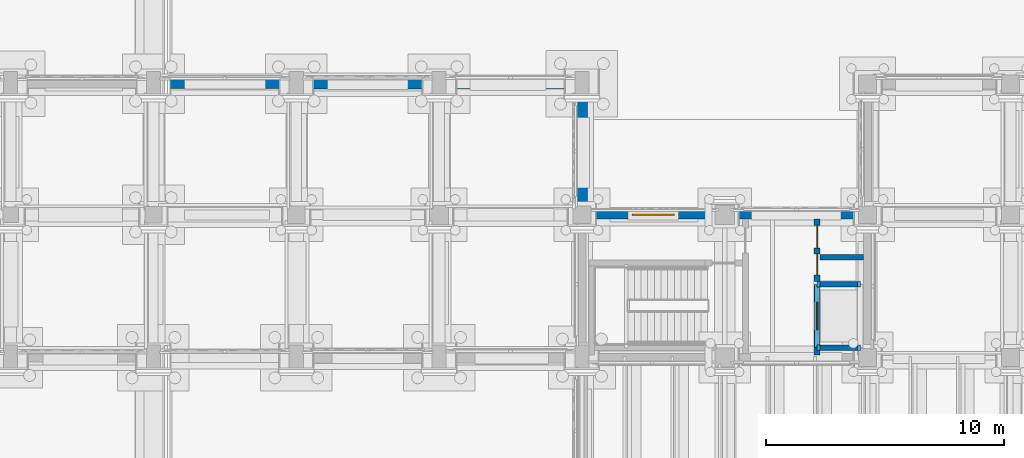
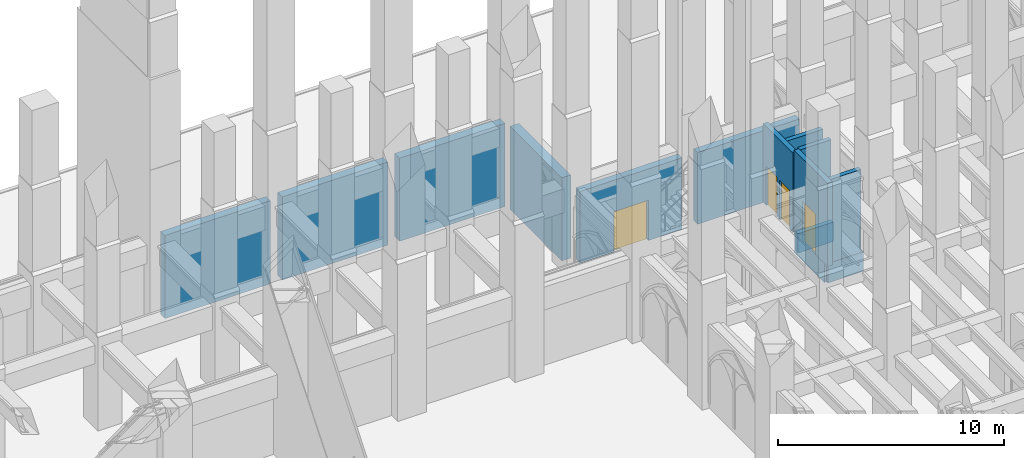
# One storey, part 66 of 135: 14 walls, 4 doors, 4 openings.
"""IFC4 building model written with IfcOpenShell, lengths in metres."""

from ifc_helpers import new_model, si_unit, direction, frame, frame_2d, origin, place, context, subcontext, project, spatial, rectangle, extrude, material, layer, layer_set, type_object, element, fill, save


model = new_model("IFC4")

# Units and contexts
model_context = context("Model", 3, precision=1e-05, world=origin(), true_north=direction((0.0, 1.0)))
body_context = subcontext(model_context, "Body", "Model", "MODEL_VIEW")
ifc_project = project(units=[si_unit("LENGTHUNIT", "METRE"), si_unit("AREAUNIT", "SQUARE_METRE"), si_unit("VOLUMEUNIT", "CUBIC_METRE"), si_unit("PLANEANGLEUNIT", "RADIAN"), si_unit("MASSUNIT", "GRAM", prefix="KILO")], contexts=[model_context])

# Site, building, storey
site_placement = place(None, origin())
site = spatial("IfcSite", under=ifc_project, at=site_placement, CompositionType="ELEMENT")
building_placement = place(site_placement, origin())
building = spatial("IfcBuilding", under=site, at=building_placement, Name="Cumevento Cable Car Station", CompositionType="ELEMENT")
storey_placement = place(building_placement, origin())
storey = spatial("IfcBuildingStorey", under=building, at=storey_placement, Name="L01", CompositionType="ELEMENT", Elevation=0.0)

# Wall, opening, door
ifc_material_1 = material(Name="Concrete C40/50", Category="concrete")
ifc_layer_1 = layer(ifc_material_1, 0.35498046875)
ifc_layer_set_1 = layer_set([ifc_layer_1], Name="Concrete C40/50")
wall_type_1 = type_object("IfcWallType", Name="Exterior Envelope Wall EW-355 355", PredefinedType="SOLIDWALL", material=ifc_layer_set_1)
wall_1_placement = place(storey_placement, frame((118.375, 51.0, 0.0), z_axis=(0.0, 0.0, 1.0), x_axis=(1.0, 0.0, 0.0)))
wall_1 = element("IfcWall", 1, at=wall_1_placement, inside=storey, type_object=wall_type_1, Name="Exterior Wall EW-355 L01 #76", PredefinedType="SOLIDWALL", context=body_context, shape_type="SweptSolid", body=[
    extrude(rectangle(XDim=5.22509765625, YDim=0.35498046875, at=frame_2d((2.612548828125, 0.0))), origin(), (0.0, 0.0, 1.0), 3.881103515625),
])
opening_1_placement = place(wall_1_placement, frame((1.7451171875, 0.0, 0.0)))
opening_1 = element("IfcOpeningElement", 2, at=opening_1_placement, cuts=wall_1, Name="Opening DR-L01-EX6", PredefinedType="OPENING", context=body_context, shape_type="SweptSolid", body=[
    extrude(rectangle(XDim=1.760009765625, YDim=2.179931640625, at=frame_2d((0.8798828125, 1.08984375))), frame((0.0, 0.1875, 0.0), z_axis=(0.0, -1.0, 0.0), x_axis=(1.0, 0.0, 0.0)), (0.0, 0.0, 1.0), 0.375),
])
ifc_material_2 = material(Name="Galvanised Painted Steel Door Assembly", Category="steel")
door_type_1 = type_object("IfcDoorType", Name="Exterior Door ED-08 1760x2180", OperationType="NOTDEFINED", PredefinedType="DOOR", material=ifc_material_2)
door_1_placement = place(opening_1_placement, origin())
door_1 = element("IfcDoor", 3, at=door_1_placement, inside=storey, type_object=door_type_1, Name="Final Pedestrian Exit E6 (Core C6)", OperationType="DOUBLE_DOOR_SINGLE_SWING", OverallHeight=2.179931640625, OverallWidth=1.760009765625, PredefinedType="DOOR", context=body_context, shape_type="SweptSolid", body=[
    extrude(rectangle(XDim=1.760009765625, YDim=2.179931640625, at=frame_2d((0.8798828125, 1.08984375))), frame((0.0, 0.02490234375, 0.0), z_axis=(0.0, -1.0, 0.0), x_axis=(1.0, 0.0, 0.0)), (0.0, 0.0, 1.0), 0.050048828125),
])
fill(opening_1, door_1)

# Walls
wall_2_placement = place(storey_placement, frame((124.39990234375, 51.0, 0.0), z_axis=(0.0, 0.0, 1.0), x_axis=(1.0, 0.0, 0.0)))
element("IfcWall", 4, at=wall_2_placement, inside=storey, type_object=wall_type_1, Name="Exterior Wall EW-355 L01 #78", PredefinedType="SOLIDWALL", context=body_context, shape_type="SweptSolid", body=[
    extrude(rectangle(XDim=5.22509765625, YDim=0.35498046875, at=frame_2d((2.612548828125, 0.0))), origin(), (0.0, 0.0, 1.0), 3.881103515625),
])
ifc_material_3 = material(Name="Concrete C40/50", Category="concrete")
ifc_layer_2 = layer(ifc_material_3, 0.22998046875)
ifc_layer_set_2 = layer_set([ifc_layer_2], Name="Concrete C40/50")
wall_type_2 = type_object("IfcWallType", Name="Interior Shear Wall CW-230 230", PredefinedType="SHEAR", material=ifc_layer_set_2)
for number, where, z_axis, x_axis, name in (
    (5, (127.8798828125, 45.419921875, -1.050048828125), (0.0, 0.0, 1.0), (1.0, 0.0, 0.0), "Interior Wall CW-230 L01 #462"),
    (6, (129.699951171875, 48.080078125, -1.050048828125), (0.0, 0.0, 1.0), (-1.0, 0.0, 0.0), "Interior Wall CW-230 L01 #464"),
):
    element("IfcWall", number, at=place(storey_placement, frame(where, z_axis=z_axis, x_axis=x_axis)), inside=storey, type_object=wall_type_2, Name=name, PredefinedType="SHEAR", context=body_context, shape_type="SweptSolid", body=[
        extrude(rectangle(XDim=1.820068359375, YDim=0.22998046875, at=frame_2d((0.91015625, 0.0))), origin(), (0.0, 0.0, 1.0), 1.050048828125),
    ])
wall_3_placement = place(storey_placement, frame((127.8798828125, 48.080078125, -1.050048828125), z_axis=(0.0, 0.0, 1.0), x_axis=(0.0, -1.0, 0.0)))
element("IfcWall", 7, at=wall_3_placement, inside=storey, type_object=wall_type_2, Name="Interior Wall CW-230 L01 #465", PredefinedType="SHEAR", context=body_context, shape_type="SweptSolid", body=[
    extrude(rectangle(XDim=2.66015625, YDim=0.22998046875, at=frame_2d((1.330078125, 0.0))), origin(), (0.0, 0.0, 1.0), 1.050048828125),
])
for number, where, z_axis, x_axis, name in (
    (8, (128.0048828125, 45.419921875, 0.0), (0.0, 0.0, 1.0), (1.0, 0.0, 0.0), "Interior Wall CW-230 L01 #476"),
    (9, (128.0048828125, 48.080078125, 0.0), (0.0, 0.0, 1.0), (1.0, 0.0, 0.0), "Interior Wall CW-230 L01 #478"),
):
    element("IfcWall", number, at=place(storey_placement, frame(where, z_axis=z_axis, x_axis=x_axis)), inside=storey, type_object=wall_type_2, Name=name, PredefinedType="SHEAR", context=body_context, shape_type="SweptSolid", body=[
        extrude(rectangle(XDim=1.580078125, YDim=0.22998046875, at=frame_2d((0.7900390625, 0.0))), origin(), (0.0, 0.0, 1.0), 4.5),
    ])
wall_4_placement = place(storey_placement, frame((128.0048828125, 49.219970703125, 0.0), z_axis=(0.0, 0.0, 1.0), x_axis=(1.0, 0.0, 0.0)))
element("IfcWall", 10, at=wall_4_placement, inside=storey, type_object=wall_type_2, Name="Interior Wall CW-230 L01 #480", PredefinedType="SHEAR", context=body_context, shape_type="SweptSolid", body=[
    extrude(rectangle(XDim=1.820068359375, YDim=0.22998046875, at=frame_2d((0.91015625, 0.0))), origin(), (0.0, 0.0, 1.0), 4.2880859375),
])

# Wall, opening, door
ifc_material_4 = material(Name="Concrete C40/50", Category="concrete")
ifc_layer_3 = layer(ifc_material_4, 0.25)
ifc_layer_set_3 = layer_set([ifc_layer_3], Name="Concrete C40/50")
wall_type_3 = type_object("IfcWallType", Name="Interior Shear Wall CW-250 250", PredefinedType="SHEAR", material=ifc_layer_set_3)
wall_5_placement = place(storey_placement, frame((127.8798828125, 45.114990234375, 0.0), z_axis=(0.0, 0.0, 1.0), x_axis=(0.0, 1.0, 0.0)))
wall_5 = element("IfcWall", 11, at=wall_5_placement, inside=storey, type_object=wall_type_3, Name="Interior Wall CW-250 L01 #475", PredefinedType="SHEAR", context=body_context, shape_type="SweptSolid", body=[
    extrude(rectangle(XDim=2.965087890625, YDim=0.25, at=frame_2d((1.482421875, 0.0))), origin(), (0.0, 0.0, 1.0), 4.5),
])
opening_2_placement = place(wall_5_placement, frame((1.054931640625, 0.0, 0.0)))
opening_2 = element("IfcOpeningElement", 12, at=opening_2_placement, cuts=wall_5, Name="Opening LD-LF06-L01", PredefinedType="OPENING", context=body_context, shape_type="SweptSolid", body=[
    extrude(rectangle(XDim=1.159912109375, YDim=2.179931640625, at=frame_2d((0.580078125, 1.08984375))), frame((0.0, 0.135009765625, 0.0), z_axis=(0.0, -1.0, 0.0), x_axis=(1.0, 0.0, 0.0)), (0.0, 0.0, 1.0), 0.27001953125),
])
ifc_material_5 = material(Name="Brushed Stainless Steel Lift Door", Category="steel")
door_type_2 = type_object("IfcDoorType", Name="Interior Door LD-02 1160x2180", OperationType="NOTDEFINED", PredefinedType="DOOR", material=ifc_material_5)
door_2_placement = place(opening_2_placement, origin())
door_2 = element("IfcDoor", 13, at=door_2_placement, inside=storey, type_object=door_type_2, Name="Lift Landing Door LD-LF06-L01", OperationType="DOUBLE_DOOR_SLIDING", OverallHeight=2.179931640625, OverallWidth=1.159912109375, PredefinedType="DOOR", context=body_context, shape_type="SweptSolid", body=[
    extrude(rectangle(XDim=1.159912109375, YDim=2.179931640625, at=frame_2d((0.580078125, 1.08984375))), frame((0.0, 0.02490234375, 0.0), z_axis=(0.0, -1.0, 0.0), x_axis=(1.0, 0.0, 0.0)), (0.0, 0.0, 1.0), 0.050048828125),
])
fill(opening_2, door_2)

# Wall, openings, doors
wall_6_placement = place(storey_placement, frame((127.8798828125, 48.199951171875, 0.0), z_axis=(0.0, 0.0, 1.0), x_axis=(0.0, 1.0, 0.0)))
wall_6 = element("IfcWall", 14, at=wall_6_placement, inside=storey, type_object=wall_type_3, Name="Interior Wall CW-250 L01 #479", PredefinedType="SHEAR", context=body_context, shape_type="SweptSolid", body=[
    extrude(rectangle(XDim=2.625, YDim=0.25, at=frame_2d((1.3125, 0.0))), origin(), (0.0, 0.0, 1.0), 4.2880859375),
])
opening_3_placement = place(wall_6_placement, frame((0.280029296875, 0.0, 0.0)))
opening_3 = element("IfcOpeningElement", 15, at=opening_3_placement, cuts=wall_6, Name="Opening DR-L01-156", PredefinedType="OPENING", context=body_context, shape_type="SweptSolid", body=[
    extrude(rectangle(XDim=0.8798828125, YDim=2.080078125, at=frame_2d((0.43994140625, 1.0400390625))), frame((0.0, 0.135009765625, 0.0), z_axis=(0.0, -1.0, 0.0), x_axis=(1.0, 0.0, 0.0)), (0.0, 0.0, 1.0), 0.27001953125),
])
opening_4_placement = place(wall_6_placement, frame((1.39990234375, 0.0, 0.0)))
opening_4 = element("IfcOpeningElement", 16, at=opening_4_placement, cuts=wall_6, Name="Opening DR-L01-157", PredefinedType="OPENING", context=body_context, shape_type="SweptSolid", body=[
    extrude(rectangle(XDim=0.9599609375, YDim=2.1201171875, at=frame_2d((0.47998046875, 1.06005859375))), frame((0.0, 0.135009765625, 0.0), z_axis=(0.0, -1.0, 0.0), x_axis=(1.0, 0.0, 0.0)), (0.0, 0.0, 1.0), 0.27001953125),
])
ifc_material_6 = material(Name="Galvanised Painted Steel Fire Door", Category="steel")
door_type_3 = type_object("IfcDoorType", Name="Interior Door FD-01 960x2120", OperationType="NOTDEFINED", PredefinedType="DOOR", material=ifc_material_6)
door_3_placement = place(opening_4_placement, origin())
door_3 = element("IfcDoor", 17, at=door_3_placement, inside=storey, type_object=door_type_3, Name="East Vestibule Lobby Door CORE6 L01", OperationType="SINGLE_SWING_RIGHT", OverallHeight=2.1201171875, OverallWidth=0.9599609375, PredefinedType="DOOR", context=body_context, shape_type="SweptSolid", body=[
    extrude(rectangle(XDim=0.9599609375, YDim=2.1201171875, at=frame_2d((0.47998046875, 1.06005859375))), frame((0.0, 0.02490234375, 0.0), z_axis=(0.0, -1.0, 0.0), x_axis=(1.0, 0.0, 0.0)), (0.0, 0.0, 1.0), 0.050048828125),
])
fill(opening_4, door_3)
ifc_material_7 = material(Name="Galvanised Painted Steel Fire Door", Category="steel")
door_type_4 = type_object("IfcDoorType", Name="Interior Door FD-07 880x2080", OperationType="NOTDEFINED", PredefinedType="DOOR", material=ifc_material_7)
door_4_placement = place(opening_3_placement, origin())
door_4 = element("IfcDoor", 18, at=door_4_placement, inside=storey, type_object=door_type_4, Name="MEP Riser Access Door CORE6 L01", OperationType="SINGLE_SWING_LEFT", OverallHeight=2.080078125, OverallWidth=0.8798828125, PredefinedType="DOOR", context=body_context, shape_type="SweptSolid", body=[
    extrude(rectangle(XDim=0.8798828125, YDim=2.080078125, at=frame_2d((0.43994140625, 1.0400390625))), frame((0.0, 0.02490234375, 0.0), z_axis=(0.0, -1.0, 0.0), x_axis=(1.0, 0.0, 0.0)), (0.0, 0.0, 1.0), 0.050048828125),
])
fill(opening_3, door_4)

# Walls
ifc_material_8 = material(Name="Concrete C40/50", Category="concrete")
ifc_layer_4 = layer(ifc_material_8, 0.385009765625)
ifc_layer_set_4 = layer_set([ifc_layer_4], Name="Concrete C40/50")
wall_type_4 = type_object("IfcWallType", Name="Retaining Wall RW-385 385", PredefinedType="USERDEFINED", material=ifc_layer_set_4)
wall_7_placement = place(storey_placement, frame((100.300048828125, 56.5, 0.0), z_axis=(0.0, 0.0, 1.0), x_axis=(1.0, 0.0, 0.0)))
element("IfcWall", 19, at=wall_7_placement, inside=storey, type_object=wall_type_4, Name="Retaining Wall RW-385 L01 #44", ObjectType="RETAININGWALL", PredefinedType="USERDEFINED", context=body_context, shape_type="SweptSolid", body=[
    extrude(rectangle(XDim=5.39990234375, YDim=0.385009765625, at=frame_2d((2.699951171875, 0.0))), origin(), (0.0, 0.0, 1.0), 4.5),
])
ifc_material_9 = material(Name="Concrete C40/50", Category="concrete")
ifc_layer_5 = layer(ifc_material_9, 0.409912109375)
ifc_layer_set_5 = layer_set([ifc_layer_5], Name="Concrete C40/50")
wall_type_5 = type_object("IfcWallType", Name="Retaining Wall RW-410 410", PredefinedType="USERDEFINED", material=ifc_layer_set_5)
wall_8_placement = place(storey_placement, frame((106.300048828125, 56.5, 0.0), z_axis=(0.0, 0.0, 1.0), x_axis=(1.0, 0.0, 0.0)))
element("IfcWall", 20, at=wall_8_placement, inside=storey, type_object=wall_type_5, Name="Retaining Wall RW-410 L01 #45", ObjectType="RETAININGWALL", PredefinedType="USERDEFINED", context=body_context, shape_type="SweptSolid", body=[
    extrude(rectangle(XDim=5.39990234375, YDim=0.409912109375, at=frame_2d((2.699951171875, 0.0))), origin(), (0.0, 0.0, 1.0), 4.5),
])
ifc_material_10 = material(Name="Concrete C40/50", Category="concrete")
ifc_layer_6 = layer(ifc_material_10, 0.43505859375)
ifc_layer_set_6 = layer_set([ifc_layer_6], Name="Concrete C40/50")
wall_type_6 = type_object("IfcWallType", Name="Retaining Wall RW-435 435", PredefinedType="USERDEFINED", material=ifc_layer_set_6)
wall_9_placement = place(storey_placement, frame((112.300048828125, 56.5, 0.0), z_axis=(0.0, 0.0, 1.0), x_axis=(1.0, 0.0, 0.0)))
element("IfcWall", 21, at=wall_9_placement, inside=storey, type_object=wall_type_6, Name="Retaining Wall RW-435 L01 #46", ObjectType="RETAININGWALL", PredefinedType="USERDEFINED", context=body_context, shape_type="SweptSolid", body=[
    extrude(rectangle(XDim=5.39990234375, YDim=0.43505859375, at=frame_2d((2.699951171875, 0.0))), origin(), (0.0, 0.0, 1.0), 4.5),
])
ifc_material_11 = material(Name="Concrete C40/50", Category="concrete")
ifc_layer_7 = layer(ifc_material_11, 0.4599609375)
ifc_layer_set_7 = layer_set([ifc_layer_7], Name="Concrete C40/50")
wall_type_7 = type_object("IfcWallType", Name="Retaining Wall RW-460 460", PredefinedType="USERDEFINED", material=ifc_layer_set_7)
wall_10_placement = place(storey_placement, frame((118.0, 51.375, 0.0), z_axis=(0.0, 0.0, 1.0), x_axis=(0.0, 1.0, 0.0)))
element("IfcWall", 22, at=wall_10_placement, inside=storey, type_object=wall_type_7, Name="Retaining Wall RW-460 L01 #47", ObjectType="RETAININGWALL", PredefinedType="USERDEFINED", context=body_context, shape_type="SweptSolid", body=[
    extrude(rectangle(XDim=4.60009765625, YDim=0.4599609375, at=frame_2d((2.300048828125, 0.0))), origin(), (0.0, 0.0, 1.0), 4.5),
])

save(model, "model.ifc")
